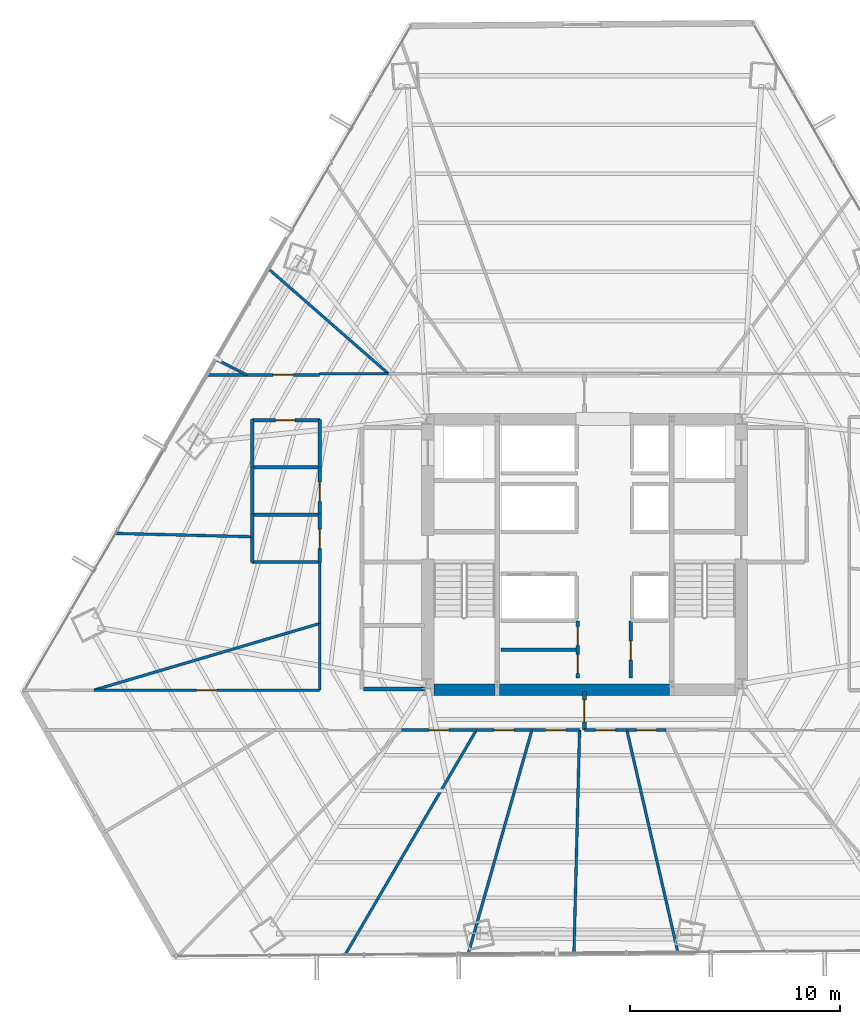
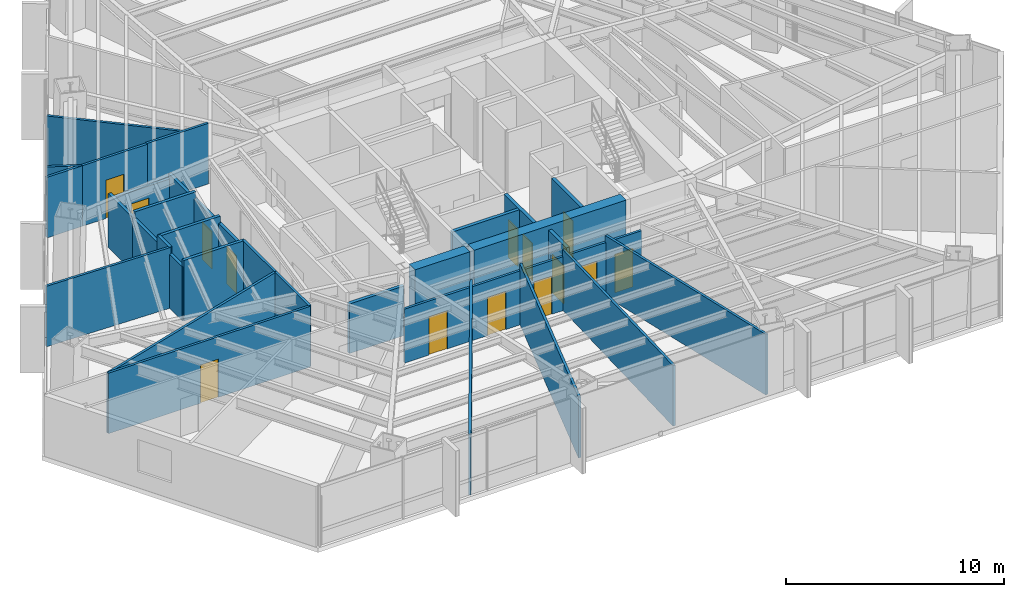
# One storey, part 30 of 36: 37 walls, 14 doors, 14 openings.
"""IFC4 building model written with IfcOpenShell, lengths in metres."""

from ifc_helpers import new_model, si_unit, direction, frame, frame_2d, origin, place, context, subcontext, project, spatial, rectangle, extrude, material, layer, layer_set, type_object, element, fill, save


model = new_model("IFC4")

# Units and contexts
model_context = context("Model", 3, precision=1e-05, world=origin(), true_north=direction((0.0, 1.0)))
body_context = subcontext(model_context, "Body", "Model", "MODEL_VIEW")
ifc_project = project(units=[si_unit("LENGTHUNIT", "METRE"), si_unit("AREAUNIT", "SQUARE_METRE"), si_unit("VOLUMEUNIT", "CUBIC_METRE"), si_unit("PLANEANGLEUNIT", "RADIAN"), si_unit("MASSUNIT", "GRAM", prefix="KILO")], contexts=[model_context])

# Site, building, storey
site_placement = place(None, origin())
site = spatial("IfcSite", under=ifc_project, at=site_placement, CompositionType="ELEMENT")
building_placement = place(site_placement, origin())
building = spatial("IfcBuilding", under=site, at=building_placement, Name="Caelisora Broadcast Tower", CompositionType="ELEMENT")
storey_placement = place(building_placement, frame((0.0, 0.0, 60.449951171875)))
storey = spatial("IfcBuildingStorey", under=building, at=storey_placement, Name="L15", CompositionType="ELEMENT", Elevation=60.449951171875)

# Walls
ifc_material_1 = material(Name="Concrete 65 MPa (AS 3600 S65)", Category="concrete")
ifc_layer_1 = layer(ifc_material_1, 0.550048828125, Name="Concrete 65 MPa (AS 3600 S65)")
ifc_layer_set_1 = layer_set([ifc_layer_1], Name="Concrete 65 MPa (AS 3600 S65)")
wall_type_1 = type_object("IfcWallType", Name="CW4", PredefinedType="SHEAR", material=ifc_layer_set_1)
wall_1_placement = place(storey_placement, frame((30.840087890625, 17.125, 0.0), z_axis=(0.0, 0.0, 1.0), x_axis=(1.0, 0.0, 0.0)))
element("IfcWall", 1, at=wall_1_placement, inside=storey, type_object=wall_type_1, Name="L15 core shear wall CW4", PredefinedType="SHEAR", context=body_context, shape_type="SweptSolid", body=[
    extrude(rectangle(XDim=2.89990234375, YDim=0.550048828125, at=frame_2d((1.449951171875, 0.0))), origin(), (0.0, 0.0, 1.0), 3.650146484375),
])
wall_2_placement = place(storey_placement, frame((33.9599609375, 17.125, 0.0), z_axis=(0.0, 0.0, 1.0), x_axis=(1.0, 0.0, 0.0)))
element("IfcWall", 2, at=wall_2_placement, inside=storey, type_object=wall_type_1, Name="L15 core shear wall CW4", PredefinedType="SHEAR", context=body_context, shape_type="SweptSolid", body=[
    extrude(rectangle(XDim=8.080078125, YDim=0.550048828125, at=frame_2d((4.0400390625, 0.0))), origin(), (0.0, 0.0, 1.0), 3.650146484375),
])
ifc_material_2 = material(Name="Fire-Rated Gypsum Shaft and Compartment Wall", Category="gypsum")
ifc_layer_2 = layer(ifc_material_2, 0.179931640625, Name="Fire-Rated Gypsum Shaft and Compartment Wall")
ifc_layer_set_2 = layer_set([ifc_layer_2], Name="Fire-Rated Gypsum Shaft and Compartment Wall")
wall_type_2 = type_object("IfcWallType", Name="PW2", PredefinedType="PARTITIONING", material=ifc_layer_set_2)
wall_3_placement = place(storey_placement, frame((34.02001953125, 19.02001953125, 0.0), z_axis=(0.0, 0.0, 1.0), x_axis=(1.0, 0.0, 0.0)))
element("IfcWall", 3, at=wall_3_placement, inside=storey, type_object=wall_type_2, Name="L15 fire compartment wall PW2", PredefinedType="PARTITIONING", context=body_context, shape_type="SweptSolid", body=[
    extrude(rectangle(XDim=3.580078125, YDim=0.179931640625, at=frame_2d((1.7900390625, 0.0))), origin(), (0.0, 0.0, 1.0), 3.400146484375),
])

# Wall, openings, doors
wall_4_placement = place(storey_placement, frame((37.679931640625, 17.679931640625, 0.0), z_axis=(0.0, 0.0, 1.0), x_axis=(0.0, 1.0, 0.0)))
wall_4 = element("IfcWall", 4, at=wall_4_placement, inside=storey, type_object=wall_type_2, Name="L15 fire compartment wall PW2", PredefinedType="PARTITIONING", context=body_context, shape_type="SweptSolid", body=[
    extrude(rectangle(XDim=2.699951171875, YDim=0.179931640625, at=frame_2d((1.35009765625, 0.0))), origin(), (0.0, 0.0, 1.0), 3.400146484375),
])
opening_1_placement = place(wall_4_placement, frame((0.219970703125, 0.0, 0.0)))
opening_1 = element("IfcOpeningElement", 5, at=opening_1_placement, cuts=wall_4, Name="Opening FD03", PredefinedType="OPENING", context=body_context, shape_type="SweptSolid", body=[
    extrude(rectangle(XDim=0.89990234375, YDim=2.10009765625, at=frame_2d((0.449951171875, 1.050048828125))), frame((0.0, 0.10205078125, 0.0), z_axis=(0.0, -1.0, 0.0), x_axis=(1.0, 0.0, 0.0)), (0.0, 0.0, 1.0), 0.203857421875),
])
opening_2_placement = place(wall_4_placement, frame((1.5400390625, 0.0, 0.0)))
opening_2 = element("IfcOpeningElement", 6, at=opening_2_placement, cuts=wall_4, Name="Opening FD03", PredefinedType="OPENING", context=body_context, shape_type="SweptSolid", body=[
    extrude(rectangle(XDim=0.89990234375, YDim=2.10009765625, at=frame_2d((0.449951171875, 1.050048828125))), frame((0.0, 0.10205078125, 0.0), z_axis=(0.0, -1.0, 0.0), x_axis=(1.0, 0.0, 0.0)), (0.0, 0.0, 1.0), 0.203857421875),
])
ifc_material_3 = material(Name="Single-Leaf Steel Riser Fire Access Door", Category="steel")
door_type_1 = type_object("IfcDoorType", Name="FD03", OperationType="NOTDEFINED", PredefinedType="DOOR", material=ifc_material_3)
door_1_placement = place(opening_1_placement, origin())
door_1 = element("IfcDoor", 7, at=door_1_placement, inside=storey, type_object=door_type_1, Name="L15 door FD03 (L15-DR-P12D1)", OperationType="SINGLE_SWING_LEFT", OverallHeight=2.10009765625, OverallWidth=0.89990234375, PredefinedType="DOOR", context=body_context, shape_type="SweptSolid", body=[
    extrude(rectangle(XDim=0.89990234375, YDim=2.10009765625, at=frame_2d((0.449951171875, 1.050048828125))), frame((0.0, 0.02490234375, 0.0), z_axis=(0.0, -1.0, 0.0), x_axis=(1.0, 0.0, 0.0)), (0.0, 0.0, 1.0), 0.050048828125),
])
fill(opening_1, door_1)
door_2_placement = place(opening_2_placement, origin())
door_2 = element("IfcDoor", 8, at=door_2_placement, inside=storey, type_object=door_type_1, Name="L15 door FD03 (L15-DR-P12D2)", OperationType="SINGLE_SWING_RIGHT", OverallHeight=2.10009765625, OverallWidth=0.89990234375, PredefinedType="DOOR", context=body_context, shape_type="SweptSolid", body=[
    extrude(rectangle(XDim=0.89990234375, YDim=2.10009765625, at=frame_2d((0.449951171875, 1.050048828125))), frame((0.0, 0.02490234375, 0.0), z_axis=(0.0, -1.0, 0.0), x_axis=(1.0, 0.0, 0.0)), (0.0, 0.0, 1.0), 0.050048828125),
])
fill(opening_2, door_2)

# Wall, opening, door
wall_5_placement = place(storey_placement, frame((40.199951171875, 17.679931640625, 0.0), z_axis=(0.0, 0.0, 1.0), x_axis=(0.0, 1.0, 0.0)))
wall_5 = element("IfcWall", 9, at=wall_5_placement, inside=storey, type_object=wall_type_2, Name="L15 fire compartment wall PW2", PredefinedType="PARTITIONING", context=body_context, shape_type="SweptSolid", body=[
    extrude(rectangle(XDim=2.699951171875, YDim=0.179931640625, at=frame_2d((1.35009765625, 0.0))), origin(), (0.0, 0.0, 1.0), 3.400146484375),
])
opening_3_placement = place(wall_5_placement, frame((0.85009765625, 0.0, 0.0)))
opening_3 = element("IfcOpeningElement", 10, at=opening_3_placement, cuts=wall_5, Name="Opening FD03", PredefinedType="OPENING", context=body_context, shape_type="SweptSolid", body=[
    extrude(rectangle(XDim=0.89990234375, YDim=2.10009765625, at=frame_2d((0.449951171875, 1.050048828125))), frame((0.0, 0.10205078125, 0.0), z_axis=(0.0, -1.0, 0.0), x_axis=(1.0, 0.0, 0.0)), (0.0, 0.0, 1.0), 0.203857421875),
])
door_3_placement = place(opening_3_placement, origin())
door_3 = element("IfcDoor", 11, at=door_3_placement, inside=storey, type_object=door_type_1, Name="L15 door FD03 (L15-DR-P13D1)", OperationType="SINGLE_SWING_LEFT", OverallHeight=2.10009765625, OverallWidth=0.89990234375, PredefinedType="DOOR", context=body_context, shape_type="SweptSolid", body=[
    extrude(rectangle(XDim=0.89990234375, YDim=2.10009765625, at=frame_2d((0.449951171875, 1.050048828125))), frame((0.0, 0.02490234375, 0.0), z_axis=(0.0, -1.0, 0.0), x_axis=(1.0, 0.0, 0.0)), (0.0, 0.0, 1.0), 0.050048828125),
])
fill(opening_3, door_3)

# Wall
wall_6_placement = place(storey_placement, frame((27.47998046875, 17.14990234375, 0.0), z_axis=(0.0, 0.0, 1.0), x_axis=(1.0, 0.0, 0.0)))
element("IfcWall", 12, at=wall_6_placement, inside=storey, type_object=wall_type_2, Name="L15 fire compartment wall PW2", PredefinedType="PARTITIONING", context=body_context, shape_type="SweptSolid", body=[
    extrude(rectangle(XDim=2.89990234375, YDim=0.179931640625, at=frame_2d((1.449951171875, 0.0))), origin(), (0.0, 0.0, 1.0), 2.782958984375),
])

# Wall, opening, door
wall_7_placement = place(storey_placement, frame((38.0, 15.205078125, 0.0), z_axis=(0.0, 0.0, 1.0), x_axis=(0.0, 1.0, 0.0)))
wall_7 = element("IfcWall", 13, at=wall_7_placement, inside=storey, type_object=wall_type_2, Name="L15 fire compartment wall PW2", PredefinedType="PARTITIONING", context=body_context, shape_type="SweptSolid", body=[
    extrude(rectangle(XDim=1.81982421875, YDim=0.179931640625, at=frame_2d((0.909912109375, 0.0))), origin(), (0.0, 0.0, 1.0), 3.400146484375),
])
opening_4_placement = place(wall_7_placement, frame((0.385009765625, 0.0, 0.0)))
opening_4 = element("IfcOpeningElement", 14, at=opening_4_placement, cuts=wall_7, Name="Opening FD02", PredefinedType="OPENING", context=body_context, shape_type="SweptSolid", body=[
    extrude(rectangle(XDim=1.050048828125, YDim=2.14990234375, at=frame_2d((0.52490234375, 1.074951171875))), frame((0.0, 0.10205078125, 0.0), z_axis=(0.0, -1.0, 0.0), x_axis=(1.0, 0.0, 0.0)), (0.0, 0.0, 1.0), 0.203857421875),
])
ifc_material_4 = material(Name="Single-Leaf Steel Fire Lobby Door", Category="steel")
door_type_2 = type_object("IfcDoorType", Name="FD02", OperationType="NOTDEFINED", PredefinedType="DOOR", material=ifc_material_4)
door_4_placement = place(opening_4_placement, origin())
door_4 = element("IfcDoor", 15, at=door_4_placement, inside=storey, type_object=door_type_2, Name="L15 door FD02 (L15-DR-P71D1)", OperationType="SINGLE_SWING_LEFT", OverallHeight=2.14990234375, OverallWidth=1.050048828125, PredefinedType="DOOR", context=body_context, shape_type="SweptSolid", body=[
    extrude(rectangle(XDim=1.050048828125, YDim=2.14990234375, at=frame_2d((0.52490234375, 1.074951171875))), frame((0.0, 0.02490234375, 0.0), z_axis=(0.0, -1.0, 0.0), x_axis=(1.0, 0.0, 0.0)), (0.0, 0.0, 1.0), 0.050048828125),
])
fill(opening_4, door_4)

# Walls
ifc_material_5 = material(Name="Acoustic Steel-Stud Plasterboard Partition", Category="gypsum")
ifc_layer_3 = layer(ifc_material_5, 0.1298828125, Name="Acoustic Steel-Stud Plasterboard Partition")
ifc_layer_set_3 = layer_set([ifc_layer_3], Name="Acoustic Steel-Stud Plasterboard Partition")
wall_type_3 = type_object("IfcWallType", Name="PW3", PredefinedType="PARTITIONING", material=ifc_layer_set_3)
wall_8_placement = place(storey_placement, frame((26.607421875, 4.498291015625, 0.0), z_axis=(0.0, 0.0, 1.0), x_axis=(0.504422269438, 0.863457106112, 0.0)))
element("IfcWall", 16, at=wall_8_placement, inside=storey, type_object=wall_type_3, Name="L15 internal partition PW3", PredefinedType="PARTITIONING", context=body_context, shape_type="SweptSolid", body=[
    extrude(rectangle(XDim=12.389404296875, YDim=0.1298828125, at=frame_2d((6.19482421875, 0.0))), origin(), (0.0, 0.0, 1.0), 3.400146484375),
])
wall_9_placement = place(storey_placement, frame((14.6650390625, 17.10107421875, 0.0), z_axis=(0.0, 0.0, 1.0), x_axis=(0.959072405606, 0.283160945055, 0.0)))
element("IfcWall", 17, at=wall_9_placement, inside=storey, type_object=wall_type_3, Name="L15 internal partition PW3", PredefinedType="PARTITIONING", context=body_context, shape_type="SweptSolid", body=[
    extrude(rectangle(XDim=11.18798828125, YDim=0.1298828125, at=frame_2d((5.593994140625, 0.0))), origin(), (0.0, 0.0, 1.0), 3.400146484375),
])
wall_10_placement = place(storey_placement, frame((32.467041015625, 4.544921875, 0.0), z_axis=(0.0, 0.0, 1.0), x_axis=(0.273809563614, 0.961783927332, 0.0)))
element("IfcWall", 18, at=wall_10_placement, inside=storey, type_object=wall_type_3, Name="L15 internal partition PW3", PredefinedType="PARTITIONING", context=body_context, shape_type="SweptSolid", body=[
    extrude(rectangle(XDim=11.0732421875, YDim=0.1298828125, at=frame_2d((5.53662109375, 0.0))), origin(), (0.0, 0.0, 1.0), 3.400146484375),
])
wall_11_placement = place(storey_placement, frame((40.02099609375, 15.195068359375, 0.0), z_axis=(0.0, 0.0, 1.0), x_axis=(0.223798979191, -0.97463532509, 0.0)))
element("IfcWall", 19, at=wall_11_placement, inside=storey, type_object=wall_type_3, Name="L15 internal partition PW3", PredefinedType="PARTITIONING", context=body_context, shape_type="SweptSolid", body=[
    extrude(rectangle(XDim=10.845703125, YDim=0.1298828125, at=frame_2d((5.4228515625, 0.0))), origin(), (0.0, 0.0, 1.0), 3.400146484375),
])

# Wall, opening, door
wall_12_placement = place(storey_placement, frame((14.6650390625, 17.10009765625, 0.0), z_axis=(0.0, 0.0, 1.0), x_axis=(1.0, 0.0, 0.0)))
wall_12 = element("IfcWall", 20, at=wall_12_placement, inside=storey, type_object=wall_type_3, Name="L15 internal partition PW3", PredefinedType="PARTITIONING", context=body_context, shape_type="SweptSolid", body=[
    extrude(rectangle(XDim=10.72998046875, YDim=0.1298828125, at=frame_2d((5.364990234375, 0.0))), origin(), (0.0, 0.0, 1.0), 3.400146484375),
])
opening_5_placement = place(wall_12_placement, frame((4.885009765625, 0.0, 0.0)))
opening_5 = element("IfcOpeningElement", 21, at=opening_5_placement, cuts=wall_12, Name="Opening D01", PredefinedType="OPENING", context=body_context, shape_type="SweptSolid", body=[
    extrude(rectangle(XDim=0.9599609375, YDim=2.14990234375, at=frame_2d((0.47998046875, 1.074951171875))), frame((0.0, 0.076904296875, 0.0), z_axis=(0.0, -1.0, 0.0), x_axis=(1.0, 0.0, 0.0)), (0.0, 0.0, 1.0), 0.15380859375),
])
ifc_material_6 = material(Name="Solid-Core Timber Acoustic Office Door", Category="wood")
door_type_3 = type_object("IfcDoorType", Name="D01", OperationType="NOTDEFINED", PredefinedType="DOOR", material=ifc_material_6)
door_5_placement = place(opening_5_placement, origin())
door_5 = element("IfcDoor", 22, at=door_5_placement, inside=storey, type_object=door_type_3, Name="L15 door D01 (L15-DR-P41D1)", OperationType="SINGLE_SWING_LEFT", OverallHeight=2.14990234375, OverallWidth=0.9599609375, PredefinedType="DOOR", context=body_context, shape_type="SweptSolid", body=[
    extrude(rectangle(XDim=0.9599609375, YDim=2.14990234375, at=frame_2d((0.47998046875, 1.074951171875))), frame((0.0, 0.02490234375, 0.0), z_axis=(0.0, -1.0, 0.0), x_axis=(1.0, 0.0, 0.0)), (0.0, 0.0, 1.0), 0.050048828125),
])
fill(opening_5, door_5)

# Walls
wall_13_placement = place(storey_placement, frame((37.50244140625, 4.5849609375, 0.0), z_axis=(0.0, 0.0, 1.0), x_axis=(0.025211156136, 0.999682148288, 0.0)))
element("IfcWall", 23, at=wall_13_placement, inside=storey, type_object=wall_type_3, Name="L15 internal partition PW3", PredefinedType="PARTITIONING", context=body_context, shape_type="SweptSolid", body=[
    extrude(rectangle(XDim=10.613525390625, YDim=0.1298828125, at=frame_2d((5.306640625, 0.0))), origin(), (0.0, 0.0, 1.0), 3.400146484375),
])
wall_14_placement = place(storey_placement, frame((22.9951171875, 37.12451171875, 0.0), z_axis=(0.0, 0.0, 1.0), x_axis=(0.752534621704, -0.658552688201, 0.0)))
element("IfcWall", 24, at=wall_14_placement, inside=storey, type_object=wall_type_3, Name="L15 internal partition PW3", PredefinedType="PARTITIONING", context=body_context, shape_type="SweptSolid", body=[
    extrude(rectangle(XDim=7.549072265625, YDim=0.1298828125, at=frame_2d((3.7744140625, 0.0))), origin(), (0.0, 0.0, 1.0), 2.782958984375),
])
wall_15_placement = place(storey_placement, frame((15.68359375, 24.5576171875, 0.0), z_axis=(0.0, 0.0, 1.0), x_axis=(0.999706799028, -0.024213962438, 0.0)))
element("IfcWall", 25, at=wall_15_placement, inside=storey, type_object=wall_type_3, Name="L15 internal partition PW3", PredefinedType="PARTITIONING", context=body_context, shape_type="SweptSolid", body=[
    extrude(rectangle(XDim=6.513427734375, YDim=0.1298828125, at=frame_2d((3.2568359375, 0.0))), origin(), (0.0, 0.0, 1.0), 3.400146484375),
])

# Wall, opening, door
wall_16_placement = place(storey_placement, frame((29.294921875, 15.199951171875, 0.0), z_axis=(0.0, 0.0, 1.0), x_axis=(1.0, 0.0, 0.0)))
wall_16 = element("IfcWall", 26, at=wall_16_placement, inside=storey, type_object=wall_type_3, Name="L15 internal partition PW3", PredefinedType="PARTITIONING", context=body_context, shape_type="SweptSolid", body=[
    extrude(rectangle(XDim=3.56005859375, YDim=0.1298828125, at=frame_2d((1.780029296875, 0.0))), origin(), (0.0, 0.0, 1.0), 3.0263671875),
])
opening_6_placement = place(wall_16_placement, frame((1.300048828125, 0.0, 0.0)))
opening_6 = element("IfcOpeningElement", 27, at=opening_6_placement, cuts=wall_16, Name="Opening D01", PredefinedType="OPENING", context=body_context, shape_type="SweptSolid", body=[
    extrude(rectangle(XDim=0.9599609375, YDim=2.14990234375, at=frame_2d((0.47998046875, 1.074951171875))), frame((0.0, 0.076904296875, 0.0), z_axis=(0.0, -1.0, 0.0), x_axis=(1.0, 0.0, 0.0)), (0.0, 0.0, 1.0), 0.15380859375),
])
door_6_placement = place(opening_6_placement, origin())
door_6 = element("IfcDoor", 28, at=door_6_placement, inside=storey, type_object=door_type_3, Name="L15 door D01 (L15-DR-P59D1)", OperationType="SINGLE_SWING_RIGHT", OverallHeight=2.14990234375, OverallWidth=0.9599609375, PredefinedType="DOOR", context=body_context, shape_type="SweptSolid", body=[
    extrude(rectangle(XDim=0.9599609375, YDim=2.14990234375, at=frame_2d((0.47998046875, 1.074951171875))), frame((0.0, 0.02490234375, 0.0), z_axis=(0.0, -1.0, 0.0), x_axis=(1.0, 0.0, 0.0)), (0.0, 0.0, 1.0), 0.050048828125),
])
fill(opening_6, door_6)

wall_17_placement = place(storey_placement, frame((21.945068359375, 32.10009765625, 0.0), z_axis=(0.0, 0.0, 1.0), x_axis=(1.0, 0.0, 0.0)))
wall_17 = element("IfcWall", 29, at=wall_17_placement, inside=storey, type_object=wall_type_3, Name="L15 internal partition PW3", PredefinedType="PARTITIONING", context=body_context, shape_type="SweptSolid", body=[
    extrude(rectangle(XDim=3.449951171875, YDim=0.1298828125, at=frame_2d((1.72509765625, 0.0))), origin(), (0.0, 0.0, 1.0), 3.400146484375),
])
opening_7_placement = place(wall_17_placement, frame((1.2451171875, 0.0, 0.0)))
opening_7 = element("IfcOpeningElement", 30, at=opening_7_placement, cuts=wall_17, Name="Opening D01", PredefinedType="OPENING", context=body_context, shape_type="SweptSolid", body=[
    extrude(rectangle(XDim=0.9599609375, YDim=2.14990234375, at=frame_2d((0.47998046875, 1.074951171875))), frame((0.0, 0.076904296875, 0.0), z_axis=(0.0, -1.0, 0.0), x_axis=(1.0, 0.0, 0.0)), (0.0, 0.0, 1.0), 0.15380859375),
])
door_7_placement = place(opening_7_placement, origin())
door_7 = element("IfcDoor", 31, at=door_7_placement, inside=storey, type_object=door_type_3, Name="L15 door D01 (L15-DR-P60D1)", OperationType="SINGLE_SWING_LEFT", OverallHeight=2.14990234375, OverallWidth=0.9599609375, PredefinedType="DOOR", context=body_context, shape_type="SweptSolid", body=[
    extrude(rectangle(XDim=0.9599609375, YDim=2.14990234375, at=frame_2d((0.47998046875, 1.074951171875))), frame((0.0, 0.02490234375, 0.0), z_axis=(0.0, -1.0, 0.0), x_axis=(1.0, 0.0, 0.0)), (0.0, 0.0, 1.0), 0.050048828125),
])
fill(opening_7, door_7)

# Walls
wall_18_placement = place(storey_placement, frame((25.405029296875, 32.14990234375, 0.0), z_axis=(0.0, 0.0, 1.0), x_axis=(1.0, 0.0, 0.0)))
element("IfcWall", 32, at=wall_18_placement, inside=storey, type_object=wall_type_3, Name="L15 internal partition PW3", PredefinedType="PARTITIONING", context=body_context, shape_type="SweptSolid", body=[
    extrude(rectangle(XDim=3.27001953125, YDim=0.1298828125, at=frame_2d((1.635009765625, 0.0))), origin(), (0.0, 0.0, 1.0), 3.400146484375),
])
wall_19_placement = place(storey_placement, frame((25.39990234375, 17.10498046875, 0.0), z_axis=(0.0, 0.0, 1.0), x_axis=(0.0, 1.0, 0.0)))
element("IfcWall", 33, at=wall_19_placement, inside=storey, type_object=wall_type_3, Name="L15 internal partition PW3", PredefinedType="PARTITIONING", context=body_context, shape_type="SweptSolid", body=[
    extrude(rectangle(XDim=3.159912109375, YDim=0.1298828125, at=frame_2d((1.580078125, 0.0))), origin(), (0.0, 0.0, 1.0), 3.400146484375),
])
wall_20_placement = place(storey_placement, frame((25.39990234375, 20.27490234375, 0.0), z_axis=(0.0, 0.0, 1.0), x_axis=(0.0, 1.0, 0.0)))
element("IfcWall", 34, at=wall_20_placement, inside=storey, type_object=wall_type_3, Name="L15 internal partition PW3", PredefinedType="PARTITIONING", context=body_context, shape_type="SweptSolid", body=[
    extrude(rectangle(XDim=2.920166015625, YDim=0.1298828125, at=frame_2d((1.4599609375, 0.0))), origin(), (0.0, 0.0, 1.0), 3.400146484375),
])

# Wall, opening, door
wall_21_placement = place(storey_placement, frame((32.864990234375, 15.199951171875, 0.0), z_axis=(0.0, 0.0, 1.0), x_axis=(1.0, 0.0, 0.0)))
wall_21 = element("IfcWall", 35, at=wall_21_placement, inside=storey, type_object=wall_type_3, Name="L15 internal partition PW3", PredefinedType="PARTITIONING", context=body_context, shape_type="SweptSolid", body=[
    extrude(rectangle(XDim=2.630126953125, YDim=0.1298828125, at=frame_2d((1.31494140625, 0.0))), origin(), (0.0, 0.0, 1.0), 3.0263671875),
])
opening_8_placement = place(wall_21_placement, frame((0.8349609375, 0.0, 0.0)))
opening_8 = element("IfcOpeningElement", 36, at=opening_8_placement, cuts=wall_21, Name="Opening D01", PredefinedType="OPENING", context=body_context, shape_type="SweptSolid", body=[
    extrude(rectangle(XDim=0.9599609375, YDim=2.14990234375, at=frame_2d((0.47998046875, 1.074951171875))), frame((0.0, 0.076904296875, 0.0), z_axis=(0.0, -1.0, 0.0), x_axis=(1.0, 0.0, 0.0)), (0.0, 0.0, 1.0), 0.15380859375),
])
door_8_placement = place(opening_8_placement, origin())
door_8 = element("IfcDoor", 37, at=door_8_placement, inside=storey, type_object=door_type_3, Name="L15 door D01 (L15-DR-P66D1)", OperationType="SINGLE_SWING_LEFT", OverallHeight=2.14990234375, OverallWidth=0.9599609375, PredefinedType="DOOR", context=body_context, shape_type="SweptSolid", body=[
    extrude(rectangle(XDim=0.9599609375, YDim=2.14990234375, at=frame_2d((0.47998046875, 1.074951171875))), frame((0.0, 0.02490234375, 0.0), z_axis=(0.0, -1.0, 0.0), x_axis=(1.0, 0.0, 0.0)), (0.0, 0.0, 1.0), 0.050048828125),
])
fill(opening_8, door_8)

wall_22_placement = place(storey_placement, frame((35.5048828125, 15.199951171875, 0.0), z_axis=(0.0, 0.0, 1.0), x_axis=(1.0, 0.0, 0.0)))
wall_22 = element("IfcWall", 38, at=wall_22_placement, inside=storey, type_object=wall_type_3, Name="L15 internal partition PW3", PredefinedType="PARTITIONING", context=body_context, shape_type="SweptSolid", body=[
    extrude(rectangle(XDim=2.260009765625, YDim=0.1298828125, at=frame_2d((1.1298828125, 0.0))), origin(), (0.0, 0.0, 1.0), 3.0263671875),
])
opening_9_placement = place(wall_22_placement, frame((0.64990234375, 0.0, 0.0)))
opening_9 = element("IfcOpeningElement", 39, at=opening_9_placement, cuts=wall_22, Name="Opening D01", PredefinedType="OPENING", context=body_context, shape_type="SweptSolid", body=[
    extrude(rectangle(XDim=0.9599609375, YDim=2.14990234375, at=frame_2d((0.47998046875, 1.074951171875))), frame((0.0, 0.076904296875, 0.0), z_axis=(0.0, -1.0, 0.0), x_axis=(1.0, 0.0, 0.0)), (0.0, 0.0, 1.0), 0.15380859375),
])
door_9_placement = place(opening_9_placement, origin())
door_9 = element("IfcDoor", 40, at=door_9_placement, inside=storey, type_object=door_type_3, Name="L15 door D01 (L15-DR-P68D1)", OperationType="SINGLE_SWING_LEFT", OverallHeight=2.14990234375, OverallWidth=0.9599609375, PredefinedType="DOOR", context=body_context, shape_type="SweptSolid", body=[
    extrude(rectangle(XDim=0.9599609375, YDim=2.14990234375, at=frame_2d((0.47998046875, 1.074951171875))), frame((0.0, 0.02490234375, 0.0), z_axis=(0.0, -1.0, 0.0), x_axis=(1.0, 0.0, 0.0)), (0.0, 0.0, 1.0), 0.050048828125),
])
fill(opening_9, door_9)

wall_23_placement = place(storey_placement, frame((38.0048828125, 15.199951171875, 0.0), z_axis=(0.0, 0.0, 1.0), x_axis=(1.0, 0.0, 0.0)))
wall_23 = element("IfcWall", 41, at=wall_23_placement, inside=storey, type_object=wall_type_3, Name="L15 internal partition PW3", PredefinedType="PARTITIONING", context=body_context, shape_type="SweptSolid", body=[
    extrude(rectangle(XDim=2.010009765625, YDim=0.1298828125, at=frame_2d((1.0048828125, 0.0))), origin(), (0.0, 0.0, 1.0), 3.0263671875),
])
opening_10_placement = place(wall_23_placement, frame((0.52490234375, 0.0, 0.0)))
opening_10 = element("IfcOpeningElement", 42, at=opening_10_placement, cuts=wall_23, Name="Opening D01", PredefinedType="OPENING", context=body_context, shape_type="SweptSolid", body=[
    extrude(rectangle(XDim=0.9599609375, YDim=2.14990234375, at=frame_2d((0.47998046875, 1.074951171875))), frame((0.0, 0.076904296875, 0.0), z_axis=(0.0, -1.0, 0.0), x_axis=(1.0, 0.0, 0.0)), (0.0, 0.0, 1.0), 0.15380859375),
])
door_10_placement = place(opening_10_placement, origin())
door_10 = element("IfcDoor", 43, at=door_10_placement, inside=storey, type_object=door_type_3, Name="L15 door D01 (L15-DR-P69D1)", OperationType="SINGLE_SWING_RIGHT", OverallHeight=2.14990234375, OverallWidth=0.9599609375, PredefinedType="DOOR", context=body_context, shape_type="SweptSolid", body=[
    extrude(rectangle(XDim=0.9599609375, YDim=2.14990234375, at=frame_2d((0.47998046875, 1.074951171875))), frame((0.0, 0.02490234375, 0.0), z_axis=(0.0, -1.0, 0.0), x_axis=(1.0, 0.0, 0.0)), (0.0, 0.0, 1.0), 0.050048828125),
])
fill(opening_10, door_10)

# Wall
wall_24_placement = place(storey_placement, frame((20.07177734375, 32.10009765625, 0.0), z_axis=(0.0, 0.0, 1.0), x_axis=(1.0, 0.0, 0.0)))
element("IfcWall", 44, at=wall_24_placement, inside=storey, type_object=wall_type_3, Name="L15 internal partition PW3", PredefinedType="PARTITIONING", context=body_context, shape_type="SweptSolid", body=[
    extrude(rectangle(XDim=1.86328125, YDim=0.1298828125, at=frame_2d((0.931640625, 0.0))), origin(), (0.0, 0.0, 1.0), 3.400146484375),
])

# Wall, opening, door
wall_25_placement = place(storey_placement, frame((40.02490234375, 15.199951171875, 0.0), z_axis=(0.0, 0.0, 1.0), x_axis=(1.0, 0.0, 0.0)))
wall_25 = element("IfcWall", 45, at=wall_25_placement, inside=storey, type_object=wall_type_3, Name="L15 internal partition PW3", PredefinedType="PARTITIONING", context=body_context, shape_type="SweptSolid", body=[
    extrude(rectangle(XDim=1.860107421875, YDim=0.1298828125, at=frame_2d((0.93017578125, 0.0))), origin(), (0.0, 0.0, 1.0), 3.0263671875),
])
opening_11_placement = place(wall_25_placement, frame((0.449951171875, 0.0, 0.0)))
opening_11 = element("IfcOpeningElement", 46, at=opening_11_placement, cuts=wall_25, Name="Opening D01", PredefinedType="OPENING", context=body_context, shape_type="SweptSolid", body=[
    extrude(rectangle(XDim=0.9599609375, YDim=2.14990234375, at=frame_2d((0.47998046875, 1.074951171875))), frame((0.0, 0.076904296875, 0.0), z_axis=(0.0, -1.0, 0.0), x_axis=(1.0, 0.0, 0.0)), (0.0, 0.0, 1.0), 0.15380859375),
])
door_11_placement = place(opening_11_placement, origin())
door_11 = element("IfcDoor", 47, at=door_11_placement, inside=storey, type_object=door_type_3, Name="L15 door D01 (L15-DR-P72D1)", OperationType="SINGLE_SWING_RIGHT", OverallHeight=2.14990234375, OverallWidth=0.9599609375, PredefinedType="DOOR", context=body_context, shape_type="SweptSolid", body=[
    extrude(rectangle(XDim=0.9599609375, YDim=2.14990234375, at=frame_2d((0.47998046875, 1.074951171875))), frame((0.0, 0.02490234375, 0.0), z_axis=(0.0, -1.0, 0.0), x_axis=(1.0, 0.0, 0.0)), (0.0, 0.0, 1.0), 0.050048828125),
])
fill(opening_11, door_11)

# Walls
wall_26_placement = place(storey_placement, frame((20.494873046875, 32.827392578125, 0.0), z_axis=(0.0, 0.0, 1.0), x_axis=(0.893243777517, -0.449572634762, 0.0)))
element("IfcWall", 48, at=wall_26_placement, inside=storey, type_object=wall_type_3, Name="L15 internal partition PW3", PredefinedType="PARTITIONING", context=body_context, shape_type="SweptSolid", body=[
    extrude(rectangle(XDim=1.61328125, YDim=0.1298828125, at=frame_2d((0.806640625, 0.0))), origin(), (0.0, 0.0, 1.0), 3.400146484375),
])
ifc_material_7 = material(Name="Moisture-Resistant Wet Plumbing Service Wall", Category="gypsum")
ifc_layer_4 = layer(ifc_material_7, 0.159912109375, Name="Moisture-Resistant Wet Plumbing Service Wall")
ifc_layer_set_4 = layer_set([ifc_layer_4], Name="Moisture-Resistant Wet Plumbing Service Wall")
wall_type_4 = type_object("IfcWallType", Name="PW4", PredefinedType="PLUMBINGWALL", material=ifc_layer_set_4)
for number, where, z_axis, x_axis, name in (
    (49, (22.175048828125, 23.199951171875, 0.0), (0.0, 0.0, 1.0), (1.0, 0.0, 0.0), "L15 wet plumbing wall PW4"),
    (50, (22.175048828125, 25.449951171875, 0.0), (0.0, 0.0, 1.0), (1.0, 0.0, 0.0), "L15 wet plumbing wall PW4"),
    (51, (22.175048828125, 27.699951171875, 0.0), (0.0, 0.0, 1.0), (1.0, 0.0, 0.0), "L15 wet plumbing wall PW4"),
):
    element("IfcWall", number, at=place(storey_placement, frame(where, z_axis=z_axis, x_axis=x_axis)), inside=storey, type_object=wall_type_4, Name=name, PredefinedType="PLUMBINGWALL", context=body_context, shape_type="SweptSolid", body=[
        extrude(rectangle(XDim=3.25, YDim=0.159912109375, at=frame_2d((1.625, 0.0))), origin(), (0.0, 0.0, 1.0), 3.400146484375),
    ])

# Wall, opening, door
wall_27_placement = place(storey_placement, frame((22.175048828125, 29.949951171875, 0.0), z_axis=(0.0, 0.0, 1.0), x_axis=(1.0, 0.0, 0.0)))
wall_27 = element("IfcWall", 52, at=wall_27_placement, inside=storey, type_object=wall_type_4, Name="L15 wet plumbing wall PW4", PredefinedType="PLUMBINGWALL", context=body_context, shape_type="SweptSolid", body=[
    extrude(rectangle(XDim=3.25, YDim=0.159912109375, at=frame_2d((1.625, 0.0))), origin(), (0.0, 0.0, 1.0), 2.782958984375),
])
opening_12_placement = place(wall_27_placement, frame((1.135009765625, 0.0, 0.0)))
opening_12 = element("IfcOpeningElement", 53, at=opening_12_placement, cuts=wall_27, Name="Opening D03", PredefinedType="OPENING", context=body_context, shape_type="SweptSolid", body=[
    extrude(rectangle(XDim=0.919921875, YDim=2.10009765625, at=frame_2d((0.4599609375, 1.050048828125))), frame((0.0, 0.092041015625, 0.0), z_axis=(0.0, -1.0, 0.0), x_axis=(1.0, 0.0, 0.0)), (0.0, 0.0, 1.0), 0.183837890625),
])
ifc_material_8 = material(Name="Laminate Moisture-Resistant Amenity WC Door", Category="wood")
door_type_4 = type_object("IfcDoorType", Name="D03", OperationType="NOTDEFINED", PredefinedType="DOOR", material=ifc_material_8)
door_12_placement = place(opening_12_placement, origin())
door_12 = element("IfcDoor", 54, at=door_12_placement, inside=storey, type_object=door_type_4, Name="L15 door D03 (L15-DR-P20D1)", OperationType="SINGLE_SWING_RIGHT", OverallHeight=2.10009765625, OverallWidth=0.919921875, PredefinedType="DOOR", context=body_context, shape_type="SweptSolid", body=[
    extrude(rectangle(XDim=0.919921875, YDim=2.10009765625, at=frame_2d((0.4599609375, 1.050048828125))), frame((0.0, 0.02490234375, 0.0), z_axis=(0.0, -1.0, 0.0), x_axis=(1.0, 0.0, 0.0)), (0.0, 0.0, 1.0), 0.050048828125),
])
fill(opening_12, door_12)

wall_28_placement = place(storey_placement, frame((25.39990234375, 23.175048828125, 0.0), z_axis=(0.0, 0.0, 1.0), x_axis=(0.0, 1.0, 0.0)))
wall_28 = element("IfcWall", 55, at=wall_28_placement, inside=storey, type_object=wall_type_4, Name="L15 wet plumbing wall PW4", PredefinedType="PLUMBINGWALL", context=body_context, shape_type="SweptSolid", body=[
    extrude(rectangle(XDim=2.300048828125, YDim=0.159912109375, at=frame_2d((1.14990234375, 0.0))), origin(), (0.0, 0.0, 1.0), 3.0263671875),
])
opening_13_placement = place(wall_28_placement, frame((0.659912109375, 0.0, 0.0)))
opening_13 = element("IfcOpeningElement", 56, at=opening_13_placement, cuts=wall_28, Name="Opening D03", PredefinedType="OPENING", context=body_context, shape_type="SweptSolid", body=[
    extrude(rectangle(XDim=0.919921875, YDim=2.10009765625, at=frame_2d((0.4599609375, 1.050048828125))), frame((0.0, 0.092041015625, 0.0), z_axis=(0.0, -1.0, 0.0), x_axis=(1.0, 0.0, 0.0)), (0.0, 0.0, 1.0), 0.183837890625),
])
door_13_placement = place(opening_13_placement, origin())
door_13 = element("IfcDoor", 57, at=door_13_placement, inside=storey, type_object=door_type_4, Name="L15 door D03 (L15-DR-P21D1)", OperationType="SINGLE_SWING_LEFT", OverallHeight=2.10009765625, OverallWidth=0.919921875, PredefinedType="DOOR", context=body_context, shape_type="SweptSolid", body=[
    extrude(rectangle(XDim=0.919921875, YDim=2.10009765625, at=frame_2d((0.4599609375, 1.050048828125))), frame((0.0, 0.02490234375, 0.0), z_axis=(0.0, -1.0, 0.0), x_axis=(1.0, 0.0, 0.0)), (0.0, 0.0, 1.0), 0.050048828125),
])
fill(opening_13, door_13)

wall_29_placement = place(storey_placement, frame((25.39990234375, 25.425048828125, 0.0), z_axis=(0.0, 0.0, 1.0), x_axis=(0.0, 1.0, 0.0)))
wall_29 = element("IfcWall", 58, at=wall_29_placement, inside=storey, type_object=wall_type_4, Name="L15 wet plumbing wall PW4", PredefinedType="PLUMBINGWALL", context=body_context, shape_type="SweptSolid", body=[
    extrude(rectangle(XDim=2.300048828125, YDim=0.159912109375, at=frame_2d((1.14990234375, 0.0))), origin(), (0.0, 0.0, 1.0), 3.0263671875),
])
opening_14_placement = place(wall_29_placement, frame((0.659912109375, 0.0, 0.0)))
opening_14 = element("IfcOpeningElement", 59, at=opening_14_placement, cuts=wall_29, Name="Opening D03", PredefinedType="OPENING", context=body_context, shape_type="SweptSolid", body=[
    extrude(rectangle(XDim=0.919921875, YDim=2.10009765625, at=frame_2d((0.4599609375, 1.050048828125))), frame((0.0, 0.092041015625, 0.0), z_axis=(0.0, -1.0, 0.0), x_axis=(1.0, 0.0, 0.0)), (0.0, 0.0, 1.0), 0.183837890625),
])
door_14_placement = place(opening_14_placement, origin())
door_14 = element("IfcDoor", 60, at=door_14_placement, inside=storey, type_object=door_type_4, Name="L15 door D03 (L15-DR-P22D1)", OperationType="SINGLE_SWING_RIGHT", OverallHeight=2.10009765625, OverallWidth=0.919921875, PredefinedType="DOOR", context=body_context, shape_type="SweptSolid", body=[
    extrude(rectangle(XDim=0.919921875, YDim=2.10009765625, at=frame_2d((0.4599609375, 1.050048828125))), frame((0.0, 0.02490234375, 0.0), z_axis=(0.0, -1.0, 0.0), x_axis=(1.0, 0.0, 0.0)), (0.0, 0.0, 1.0), 0.050048828125),
])
fill(opening_14, door_14)

# Walls
for number, where, z_axis, x_axis, name in (
    (61, (25.39990234375, 27.675048828125, 0.0), (0.0, 0.0, 1.0), (0.0, 1.0, 0.0), "L15 wet plumbing wall PW4"),
    (62, (22.199951171875, 25.425048828125, 0.0), (0.0, 0.0, 1.0), (0.0, 1.0, 0.0), "L15 wet plumbing wall PW4"),
    (63, (22.199951171875, 27.675048828125, 0.0), (0.0, 0.0, 1.0), (0.0, 1.0, 0.0), "L15 wet plumbing wall PW4"),
):
    element("IfcWall", number, at=place(storey_placement, frame(where, z_axis=z_axis, x_axis=x_axis)), inside=storey, type_object=wall_type_4, Name=name, PredefinedType="PLUMBINGWALL", context=body_context, shape_type="SweptSolid", body=[
        extrude(rectangle(XDim=2.300048828125, YDim=0.159912109375, at=frame_2d((1.14990234375, 0.0))), origin(), (0.0, 0.0, 1.0), 3.0263671875),
    ])
wall_30_placement = place(storey_placement, frame((22.199951171875, 24.425048828125, 0.0), z_axis=(0.0, 0.0, 1.0), x_axis=(0.0, -1.0, 0.0)))
element("IfcWall", 64, at=wall_30_placement, inside=storey, type_object=wall_type_4, Name="L15 wet plumbing wall PW4", PredefinedType="PLUMBINGWALL", context=body_context, shape_type="SweptSolid", body=[
    extrude(rectangle(XDim=1.25, YDim=0.159912109375, at=frame_2d((0.625, 0.0))), origin(), (0.0, 0.0, 1.0), 3.0263671875),
])
wall_31_placement = place(storey_placement, frame((22.199951171875, 24.375, 0.0), z_axis=(0.0, 0.0, 1.0), x_axis=(0.0, 1.0, 0.0)))
element("IfcWall", 65, at=wall_31_placement, inside=storey, type_object=wall_type_4, Name="L15 wet plumbing wall PW4", PredefinedType="PLUMBINGWALL", context=body_context, shape_type="SweptSolid", body=[
    extrude(rectangle(XDim=1.10009765625, YDim=0.159912109375, at=frame_2d((0.550048828125, 0.0))), origin(), (0.0, 0.0, 1.0), 3.400146484375),
])

save(model, "model.ifc")
